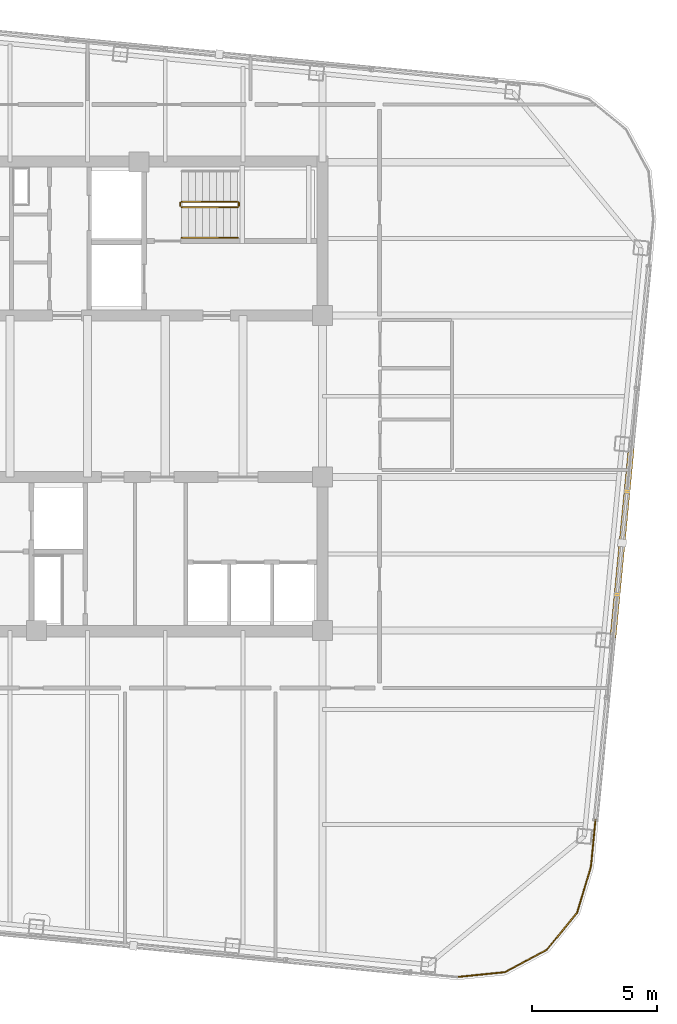
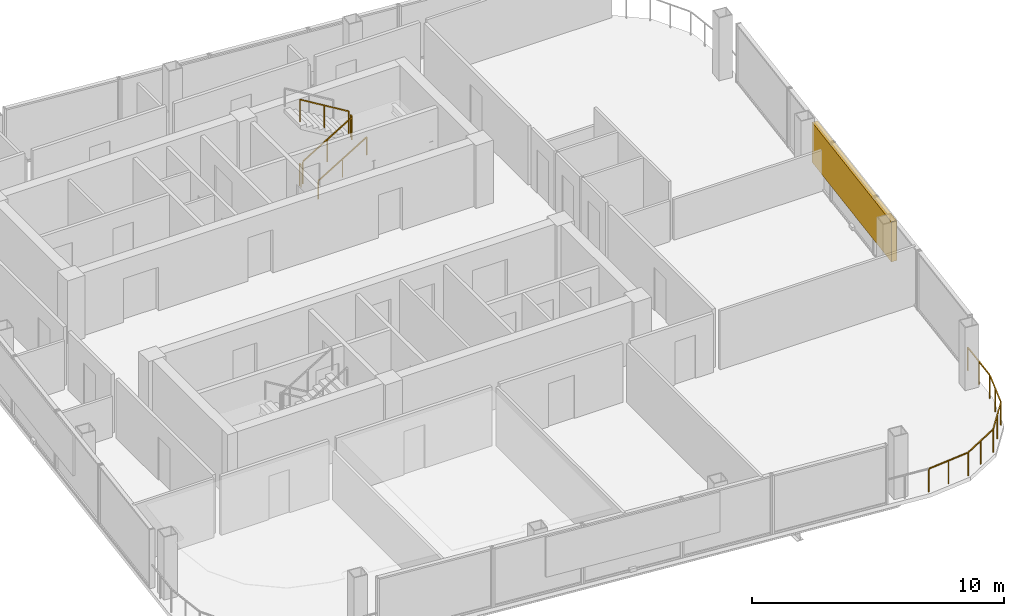
# One storey, part 22 of 23: 6 railings, 1 shading device.
"""IFC4 building model written with IfcOpenShell, lengths in metres."""

import ifcopenshell
import ifcopenshell.guid

model = None  # the IFC model being written
_history = None  # IfcOwnerHistory: only IFC2X3 demands one
_inside = {}  # id of a spatial element -> (the spatial element, [elements in it])
_under = {}  # id of a project, library or spatial element -> (it, [spatial elements below it])
_declared = {}  # id of a project -> (the project, [libraries it declares])
_typed = {}  # id of a type object -> (the type object, [elements of that type])
_made_of = {}  # id of a material, layer set ... -> (it, [elements and type objects made of it])


def new_model(schema):
    """Start an empty IFC model of exactly this schema.

    Asked for "IFC4X3", IfcOpenShell would pick the latest addendum, in which some entities
    have other attributes; the version numbers below select the first issue.
    IFC2X3 requires an IfcOwnerHistory on every rooted entity: one is made here for all.
    """
    global model, _history
    if schema == "IFC4X3":
        model = ifcopenshell.file(schema_version=(4, 3, 0, 0))
    else:
        model = ifcopenshell.file(schema=schema)
    _inside.clear()
    _under.clear()
    _declared.clear()
    _typed.clear()
    _made_of.clear()
    _history = None
    if model.schema == "IFC2X3":
        org = make("IfcOrganization", Name="unknown")
        user = make(
            "IfcPersonAndOrganization",
            ThePerson=make("IfcPerson", FamilyName="unknown"),
            TheOrganization=org,
        )
        app = make(
            "IfcApplication",
            ApplicationDeveloper=org,
            Version="unknown",
            ApplicationFullName="unknown",
            ApplicationIdentifier="unknown",
        )
        _history = make(
            "IfcOwnerHistory",
            OwningUser=user,
            OwningApplication=app,
            ChangeAction="ADDED",
            CreationDate=0,
        )
    return model


def make(cls, **values):
    """One entity of the class cls with the attributes given. An attribute that is None is left unset."""
    return model.create_entity(
        cls, **{name: value for name, value in values.items() if value is not None}
    )


def rooted(cls, **values):
    """An entity with a GlobalId (a new one), such as an element, a storey or a relation."""
    return make(cls, GlobalId=ifcopenshell.guid.new(), OwnerHistory=_history, **values)


def si_unit(unit_type, name, prefix=None):
    """IfcSIUnit, for example si_unit("LENGTHUNIT", "METRE", prefix="MILLI")."""
    return make("IfcSIUnit", UnitType=unit_type, Prefix=prefix, Name=name)


def assignment(units):
    """IfcUnitAssignment: the units of a project."""
    return None if units is None else make("IfcUnitAssignment", Units=units)


def point(xyz):
    """IfcCartesianPoint."""
    return None if xyz is None else make("IfcCartesianPoint", Coordinates=xyz)


def direction(xyz):
    """IfcDirection."""
    return None if xyz is None else make("IfcDirection", DirectionRatios=xyz)


def frame(location, z_axis=None, x_axis=None):
    """IfcAxis2Placement3D, a coordinate frame: its origin and axes. An axis left out is left unset."""
    return make(
        "IfcAxis2Placement3D",
        Location=point(location),
        Axis=direction(z_axis),
        RefDirection=direction(x_axis),
    )


def frame_2d(location, x_axis=None):
    """IfcAxis2Placement2D, a coordinate frame in the plane: its origin and x axis."""
    return make(
        "IfcAxis2Placement2D", Location=point(location), RefDirection=direction(x_axis)
    )


def origin():
    """The frame at (0, 0, 0) with its axes left unset."""
    return frame((0.0, 0.0, 0.0))


def origin_2d():
    """The frame at (0, 0) in the plane with its x axis left unset."""
    return frame_2d((0.0, 0.0))


def place(relative_to, where):
    """IfcLocalPlacement: puts the frame where relative to a parent placement (None: the world)."""
    return make(
        "IfcLocalPlacement", PlacementRelTo=relative_to, RelativePlacement=where
    )


def context(
    kind, dimensions, precision=None, world=None, true_north=None, identifier=None
):
    """IfcGeometricRepresentationContext, for example the 3D "Model" context."""
    return make(
        "IfcGeometricRepresentationContext",
        ContextIdentifier=identifier,
        ContextType=kind,
        CoordinateSpaceDimension=dimensions,
        Precision=precision,
        WorldCoordinateSystem=world,
        TrueNorth=true_north,
    )


def subcontext(parent, identifier, kind, view, scale=None):
    """IfcGeometricRepresentationSubContext, for example "Body" below "Model"."""
    return make(
        "IfcGeometricRepresentationSubContext",
        ContextIdentifier=identifier,
        ContextType=kind,
        ParentContext=parent,
        TargetScale=scale,
        TargetView=view,
    )


def project(units=None, contexts=None):
    """IfcProject with its units and contexts."""
    return rooted(
        "IfcProject",
        Name="project",
        RepresentationContexts=contexts,
        UnitsInContext=assignment(units),
    )


def spatial(cls, under=None, at=None, **own):
    """A site, building, storey or space (cls), placed at a placement, below another one or the project."""
    s = rooted(cls, ObjectPlacement=at, **own)
    if under is not None:
        _under.setdefault(under.id(), (under, []))[1].append(s)
    return s


def profile(cls, at=None, kind="AREA", **sizes):
    """A parametric profile (cls). Its sizes go by their IFC names, for example OverallWidth=200.0."""
    return make(cls, ProfileType=kind, Position=at, **sizes)


def rectangle(**sizes):
    """IfcRectangleProfileDef."""
    return profile("IfcRectangleProfileDef", **sizes)


def extrude(swept, where, along, depth):
    """IfcExtrudedAreaSolid: the profile swept, set in the frame where, extruded along a direction by depth."""
    return make(
        "IfcExtrudedAreaSolid",
        SweptArea=swept,
        Position=where,
        ExtrudedDirection=direction(along),
        Depth=depth,
    )


def shape(context_of_items, identifier, shape_type, items):
    """IfcShapeRepresentation: the items that make up one representation, for example the "Body"."""
    return make(
        "IfcShapeRepresentation",
        ContextOfItems=context_of_items,
        RepresentationIdentifier=identifier,
        RepresentationType=shape_type,
        Items=items,
    )


def material(Name=None, Category=None):
    """IfcMaterial."""
    return make("IfcMaterial", Name=Name, Category=Category)


def made_of(thing, what):
    """Note that an element or type object is made of a material, layer set ...; save() writes the relation."""
    if what is not None:
        _made_of.setdefault(what.id(), (what, []))[1].append(thing)
    return thing


def type_object(cls, material=None, **own):
    """A type object (cls), such as IfcWallType, which elements share."""
    return made_of(rooted(cls, **own), material)


def element(
    cls,
    number,
    at=None,
    inside=None,
    cuts=None,
    type_object=None,
    material=None,
    context=None,
    identifier="Body",
    shape_type=None,
    held_by="IfcProductDefinitionShape",
    body=None,
    shapes=None,
    **own,
):
    """One element of the class cls, such as IfcWall. Its Tag is "e" and its number.

    at: its placement. inside: the storey or other place that contains it. cuts: it is an
    opening in that element (IfcRelVoidsElement). A single representation is given by context,
    identifier, shape_type and body (its items); several are given by shapes. held_by: the class
    of the entity that holds the representations. save() writes the other relations.
    """
    e = rooted(cls, Tag="e%d" % number, ObjectPlacement=at, **own)
    if body is not None:
        shapes = [shape(context, identifier, shape_type, body)]
    if shapes is not None:
        e.Representation = make(held_by, Representations=shapes)
    if inside is not None:
        _inside.setdefault(inside.id(), (inside, []))[1].append(e)
    if cuts is not None:
        rooted(
            "IfcRelVoidsElement", RelatingBuildingElement=cuts, RelatedOpeningElement=e
        )
    if type_object is not None:
        _typed.setdefault(type_object.id(), (type_object, []))[1].append(e)
    return made_of(e, material)


def aggregate(whole, parts):
    """IfcRelAggregates: a whole, such as a stair, and the parts it consists of."""
    return rooted("IfcRelAggregates", RelatingObject=whole, RelatedObjects=parts)


def save(model, path):
    """Write the relations noted so far, then the file.

    IfcRelAggregates (storeys below a building ...), IfcRelContainedInSpatialStructure (elements
    in a storey), IfcRelDefinesByType, IfcRelAssociatesMaterial and IfcRelDeclares: one each for
    every whole, place, type object, material and project.
    """
    for whole, parts in _under.values():
        aggregate(whole, parts)
    for where, things in _inside.values():
        rooted(
            "IfcRelContainedInSpatialStructure",
            RelatedElements=things,
            RelatingStructure=where,
        )
    for kind, things in _typed.values():
        rooted("IfcRelDefinesByType", RelatedObjects=things, RelatingType=kind)
    for what, things in _made_of.values():
        rooted("IfcRelAssociatesMaterial", RelatedObjects=things, RelatingMaterial=what)
    for by, libraries in _declared.values():
        rooted("IfcRelDeclares", RelatingContext=by, RelatedDefinitions=libraries)
    model.write(path)


model = new_model("IFC4")

# Units and contexts
model_context = context("Model", 3, precision=1e-05, world=origin(), true_north=direction((0.0, 1.0)))
body_context = subcontext(model_context, "Body", "Model", "MODEL_VIEW")
ifc_project = project(units=[si_unit("LENGTHUNIT", "METRE"), si_unit("AREAUNIT", "SQUARE_METRE"), si_unit("VOLUMEUNIT", "CUBIC_METRE"), si_unit("PLANEANGLEUNIT", "RADIAN"), si_unit("MASSUNIT", "GRAM", prefix="KILO")], contexts=[model_context])

# Site, building, storey
site_placement = place(None, origin())
site = spatial("IfcSite", under=ifc_project, at=site_placement, CompositionType="ELEMENT")
building_placement = place(site_placement, origin())
building = spatial("IfcBuilding", under=site, at=building_placement, Name="Qhalaya Broadcast Tower", CompositionType="ELEMENT")
storey_placement = place(building_placement, frame((0.0, 0.0, 264.199951171875)))
storey = spatial("IfcBuildingStorey", under=building, at=storey_placement, Name="L78", CompositionType="ELEMENT", Elevation=264.199951171875)

# Railings
ifc_material_1 = material(Name="Powder-Coated Galvanised Steel", Category="steel")
railing_type_1 = type_object("IfcRailingType", Name="Stair Wall Handrail 900", PredefinedType="HANDRAIL", material=ifc_material_1)
railing_1_placement = place(storey_placement, frame((3.75, 6.929931640625, 0.16943359375)))
element("IfcRailing", 1, at=railing_1_placement, inside=storey, type_object=railing_type_1, Name="L78 ST-1 Stair Handrail 1", PredefinedType="HANDRAIL", context=body_context, shape_type="SweptSolid", body=[
    extrude(rectangle(XDim=0.048095703125, YDim=0.048095703125, at=origin_2d()), frame((0.0, 0.0, 0.8759765625), z_axis=(0.855512035549, 0.0, 0.517782924622), x_axis=(0.0, 1.0, 0.0)), (0.0, 0.0, 1.0), 2.618408203125),
    extrude(rectangle(XDim=0.0419921875, YDim=0.0419921875, at=origin_2d()), origin(), (0.0, 0.0, 1.0), 0.849853515625),
    extrude(rectangle(XDim=0.0419921875, YDim=0.0419921875, at=origin_2d()), frame((1.1201171875, 0.0, 0.677734375)), (0.0, 0.0, 1.0), 0.849853515625),
    extrude(rectangle(XDim=0.0419921875, YDim=0.0419921875, at=origin_2d()), frame((2.239990234375, 0.0, 1.355712890625)), (0.0, 0.0, 1.0), 0.849853515625),
])
railing_type_2 = type_object("IfcRailingType", Name="Stair Well & Landing Guardrail 1100", PredefinedType="GUARDRAIL", material=ifc_material_1)
railing_2_placement = place(storey_placement, frame((3.75, 8.14990234375, 0.16943359375)))
element("IfcRailing", 2, at=railing_2_placement, inside=storey, type_object=railing_type_2, Name="L78 ST-1 Stair Guard 1", PredefinedType="GUARDRAIL", context=body_context, shape_type="SweptSolid", body=[
    extrude(rectangle(XDim=0.048095703125, YDim=0.048095703125, at=origin_2d()), frame((0.0, 0.0, 1.076171875), z_axis=(0.855512035549, 0.0, 0.517782924622), x_axis=(0.0, 1.0, 0.0)), (0.0, 0.0, 1.0), 2.618408203125),
    extrude(rectangle(XDim=0.0419921875, YDim=0.0419921875, at=origin_2d()), origin(), (0.0, 0.0, 1.0), 1.050048828125),
    extrude(rectangle(XDim=0.0419921875, YDim=0.0419921875, at=origin_2d()), frame((1.1201171875, 0.0, 0.677734375)), (0.0, 0.0, 1.0), 1.050048828125),
    extrude(rectangle(XDim=0.0419921875, YDim=0.0419921875, at=origin_2d()), frame((2.239990234375, 0.0, 1.355712890625)), (0.0, 0.0, 1.0), 1.050048828125),
])
railing_3_placement = place(storey_placement, frame((6.0400390625, 8.199951171875, 1.525146484375)))
element("IfcRailing", 3, at=railing_3_placement, inside=storey, type_object=railing_type_2, Name="L78 ST-1 Stair Guard 2", PredefinedType="GUARDRAIL", context=body_context, shape_type="SweptSolid", body=[
    extrude(rectangle(XDim=0.048095703125, YDim=0.048095703125, at=origin_2d()), frame((0.0, 0.0, 1.076171875), z_axis=(0.0, 1.0, 0.0), x_axis=(-1.0, 0.0, 0.0)), (0.0, 0.0, 1.0), 0.1201171875),
    extrude(rectangle(XDim=0.0419921875, YDim=0.0419921875, at=origin_2d()), origin(), (0.0, 0.0, 1.0), 1.050048828125),
    extrude(rectangle(XDim=0.0419921875, YDim=0.0419921875, at=origin_2d()), frame((0.0, 0.1201171875, 0.0)), (0.0, 0.0, 1.0), 1.050048828125),
])
railing_4_placement = place(storey_placement, frame((5.989990234375, 8.3701171875, 1.694580078125)))
element("IfcRailing", 4, at=railing_4_placement, inside=storey, type_object=railing_type_2, Name="L78 ST-1 Stair Guard 3", PredefinedType="GUARDRAIL", context=body_context, shape_type="SweptSolid", body=[
    extrude(rectangle(XDim=0.048095703125, YDim=0.048095703125, at=origin_2d()), frame((0.0, 0.0, 1.076171875), z_axis=(-0.855553338991, 0.0, 0.51771467445), x_axis=(0.0, -1.0, 0.0)), (0.0, 0.0, 1.0), 2.6181640625),
    extrude(rectangle(XDim=0.0419921875, YDim=0.0419921875, at=origin_2d()), origin(), (0.0, 0.0, 1.0), 1.050048828125),
    extrude(rectangle(XDim=0.0419921875, YDim=0.0419921875, at=origin_2d()), frame((-1.1201171875, 0.0, 0.677734375)), (0.0, 0.0, 1.0), 1.050048828125),
    extrude(rectangle(XDim=0.0419921875, YDim=0.0419921875, at=origin_2d()), frame((-2.239990234375, 0.0, 1.35546875)), (0.0, 0.0, 1.0), 1.050048828125),
])
railing_5_placement = place(storey_placement, frame((3.699951171875, 8.199951171875, 0.0)))
element("IfcRailing", 5, at=railing_5_placement, inside=storey, type_object=railing_type_2, Name="L78 ST-1 Stair Guard 4", PredefinedType="GUARDRAIL", context=body_context, shape_type="SweptSolid", body=[
    extrude(rectangle(XDim=0.048095703125, YDim=0.048095703125, at=origin_2d()), frame((0.0, 0.0, 1.076171875), z_axis=(0.0, 1.0, 0.0), x_axis=(-1.0, 0.0, 0.0)), (0.0, 0.0, 1.0), 0.1201171875),
    extrude(rectangle(XDim=0.0419921875, YDim=0.0419921875, at=origin_2d()), origin(), (0.0, 0.0, 1.0), 1.050048828125),
    extrude(rectangle(XDim=0.0419921875, YDim=0.0419921875, at=origin_2d()), frame((0.0, 0.1201171875, 0.0)), (0.0, 0.0, 1.0), 1.050048828125),
])
railing_type_3 = type_object("IfcRailingType", Name="Terrace, Sky-Pool & Lookout Glass Balustrade 1150", PredefinedType="BALUSTRADE", material=ifc_material_1)
railing_6_placement = place(storey_placement, frame((20.2958984375, -16.07373046875, 0.0)))
element("IfcRailing", 6, at=railing_6_placement, inside=storey, type_object=railing_type_3, Name="L78 Rounded Corner Perimeter Guard 05", PredefinedType="BALUSTRADE", context=body_context, shape_type="SweptSolid", body=[
    extrude(rectangle(XDim=0.048095703125, YDim=0.048095703125, at=origin_2d()), frame((0.0, 0.0, 1.1259765625), z_axis=(-0.095896889673, -0.995391273094, 0.0), x_axis=(0.995391273094, -0.095896889673, 0.0)), (0.0, 0.0, 1.0), 2.08935546875),
    extrude(rectangle(XDim=0.048095703125, YDim=0.048095703125, at=origin_2d()), frame((-0.21142578125, -2.135986328125, 1.1259765625), z_axis=(-0.288096282124, -0.957601447485, 0.0), x_axis=(0.957601447485, -0.288096282124, 0.0)), (0.0, 0.0, 1.0), 1.857421875),
    extrude(rectangle(XDim=0.048095703125, YDim=0.048095703125, at=origin_2d()), frame((-0.773193359375, -3.96484375, 1.1259765625), z_axis=(-0.63274871945, -0.774357190213, 0.0), x_axis=(0.774357190213, -0.63274871945, 0.0)), (0.0, 0.0, 1.0), 1.845703125),
    extrude(rectangle(XDim=0.048095703125, YDim=0.048095703125, at=origin_2d()), frame((-1.984619140625, -5.429931640625, 1.1259765625), z_axis=(-0.880932037714, -0.473242797018, 0.0), x_axis=(0.473242797018, -0.880932037714, 0.0)), (0.0, 0.0, 1.0), 1.845458984375),
    extrude(rectangle(XDim=0.048095703125, YDim=0.048095703125, at=origin_2d()), frame((-3.66455078125, -6.31982421875, 1.1259765625), z_axis=(-0.994967529225, -0.100197883148, 0.0), x_axis=(0.100197883148, -0.994967529225, 0.0)), (0.0, 0.0, 1.0), 1.88623046875),
    extrude(rectangle(XDim=0.0419921875, YDim=0.0419921875, at=origin_2d()), origin(), (0.0, 0.0, 1.0), 1.099853515625),
    extrude(rectangle(XDim=0.0419921875, YDim=0.0419921875, at=origin_2d()), frame((-0.1015625, -1.05419921875, 0.0)), (0.0, 0.0, 1.0), 1.099853515625),
    extrude(rectangle(XDim=0.0419921875, YDim=0.0419921875, at=origin_2d()), frame((-0.203125, -2.1083984375, 0.0)), (0.0, 0.0, 1.0), 1.099853515625),
    extrude(rectangle(XDim=0.0419921875, YDim=0.0419921875, at=origin_2d()), frame((-0.47900390625, -3.025390625, 0.0)), (0.0, 0.0, 1.0), 1.099853515625),
    extrude(rectangle(XDim=0.0419921875, YDim=0.0419921875, at=origin_2d()), frame((-0.7548828125, -3.9423828125, 0.0)), (0.0, 0.0, 1.0), 1.099853515625),
    extrude(rectangle(XDim=0.0419921875, YDim=0.0419921875, at=origin_2d()), frame((-1.35693359375, -4.67919921875, 0.0)), (0.0, 0.0, 1.0), 1.099853515625),
    extrude(rectangle(XDim=0.0419921875, YDim=0.0419921875, at=origin_2d()), frame((-1.959228515625, -5.416259765625, 0.0)), (0.0, 0.0, 1.0), 1.099853515625),
    extrude(rectangle(XDim=0.0419921875, YDim=0.0419921875, at=origin_2d()), frame((-2.79736328125, -5.86669921875, 0.0)), (0.0, 0.0, 1.0), 1.099853515625),
    extrude(rectangle(XDim=0.0419921875, YDim=0.0419921875, at=origin_2d()), frame((-3.6357421875, -6.31689453125, 0.0)), (0.0, 0.0, 1.0), 1.099853515625),
    extrude(rectangle(XDim=0.0419921875, YDim=0.0419921875, at=origin_2d()), frame((-4.58837890625, -6.412841796875, 0.0)), (0.0, 0.0, 1.0), 1.099853515625),
    extrude(rectangle(XDim=0.0419921875, YDim=0.0419921875, at=origin_2d()), frame((-5.541259765625, -6.5087890625, 0.0)), (0.0, 0.0, 1.0), 1.099853515625),
])

# Shading device
ifc_material_2 = material(Name="Fired Architectural Terracotta", Category="masonry")
shading_device_type = type_object("IfcShadingDeviceType", Name="Terracotta Baguette Solar Screen Assembly TBS-01", PredefinedType="USERDEFINED", material=ifc_material_2)
shading_device_placement = place(storey_placement, frame((21.337646484375, -5.25390625, 0.80078125), z_axis=(0.0, 0.0, 1.0), x_axis=(0.09584575252, 0.995396198367, 0.0)))
element("IfcShadingDevice", 7, at=shading_device_placement, inside=storey, type_object=shading_device_type, Name="L78 Fired Terracotta Baguette Screen E", ObjectType="BAGUETTE", PredefinedType="USERDEFINED", context=body_context, shape_type="SweptSolid", body=[
    extrude(rectangle(XDim=7.60009765625, YDim=0.239990234375, at=origin_2d()), origin(), (0.0, 0.0, 1.0), 1.945068359375),
])

save(model, "model.ifc")
